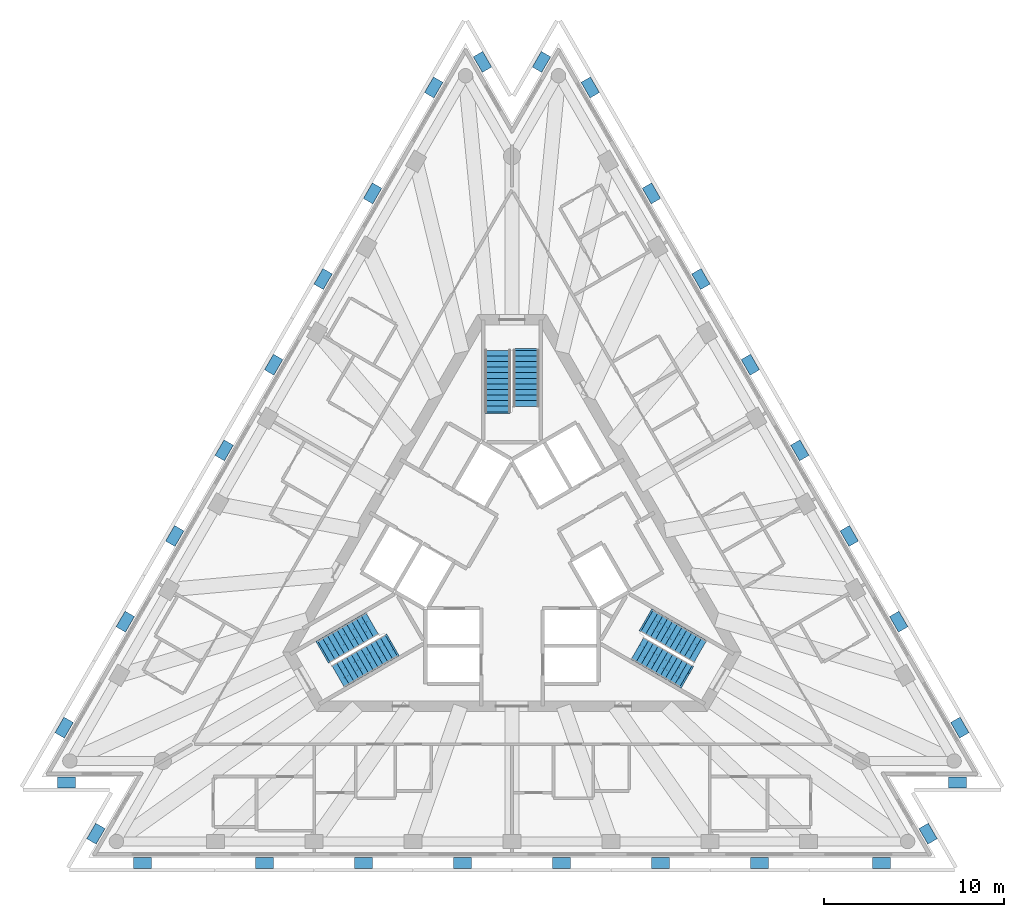
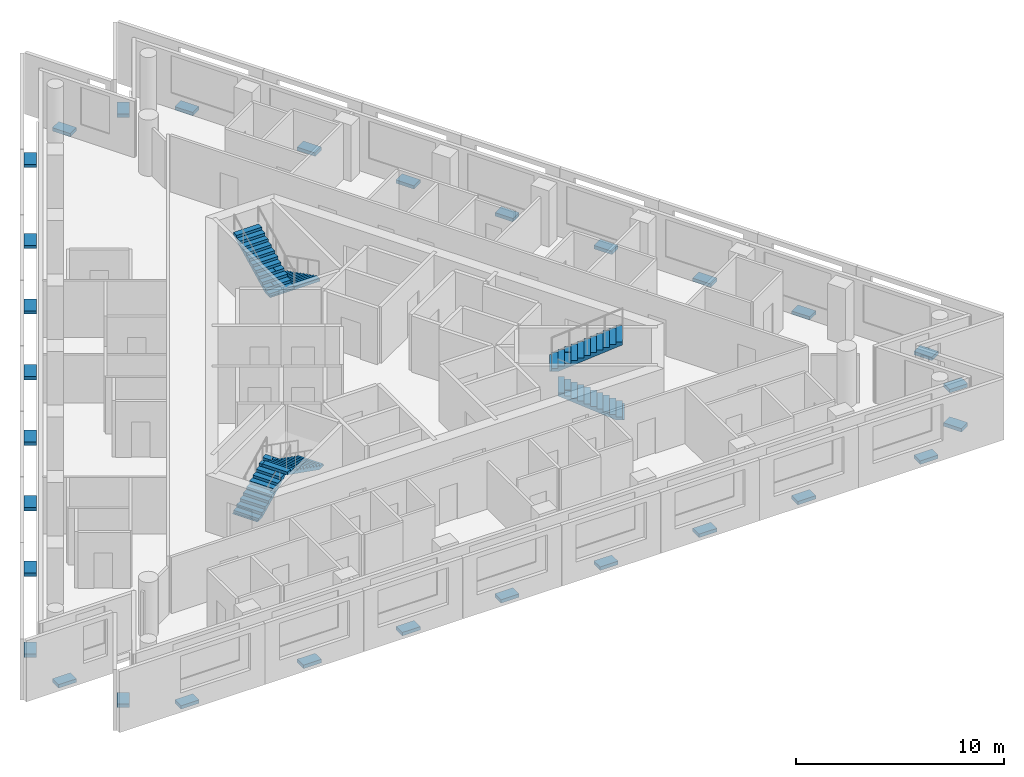
# One storey, part 8 of 9: 30 discrete accessories, 6 stair flights, 3 elements without a shape of their own.
"""IFC4 building model written with IfcOpenShell, lengths in metres."""

import ifcopenshell
import ifcopenshell.guid

model = None  # the IFC model being written
_history = None  # IfcOwnerHistory: only IFC2X3 demands one
_inside = {}  # id of a spatial element -> (the spatial element, [elements in it])
_under = {}  # id of a project, library or spatial element -> (it, [spatial elements below it])
_declared = {}  # id of a project -> (the project, [libraries it declares])
_typed = {}  # id of a type object -> (the type object, [elements of that type])
_made_of = {}  # id of a material, layer set ... -> (it, [elements and type objects made of it])


def new_model(schema):
    """Start an empty IFC model of exactly this schema.

    Asked for "IFC4X3", IfcOpenShell would pick the latest addendum, in which some entities
    have other attributes; the version numbers below select the first issue.
    IFC2X3 requires an IfcOwnerHistory on every rooted entity: one is made here for all.
    """
    global model, _history
    if schema == "IFC4X3":
        model = ifcopenshell.file(schema_version=(4, 3, 0, 0))
    else:
        model = ifcopenshell.file(schema=schema)
    _inside.clear()
    _under.clear()
    _declared.clear()
    _typed.clear()
    _made_of.clear()
    _history = None
    if model.schema == "IFC2X3":
        org = make("IfcOrganization", Name="unknown")
        user = make(
            "IfcPersonAndOrganization",
            ThePerson=make("IfcPerson", FamilyName="unknown"),
            TheOrganization=org,
        )
        app = make(
            "IfcApplication",
            ApplicationDeveloper=org,
            Version="unknown",
            ApplicationFullName="unknown",
            ApplicationIdentifier="unknown",
        )
        _history = make(
            "IfcOwnerHistory",
            OwningUser=user,
            OwningApplication=app,
            ChangeAction="ADDED",
            CreationDate=0,
        )
    return model


def make(cls, **values):
    """One entity of the class cls with the attributes given. An attribute that is None is left unset."""
    return model.create_entity(
        cls, **{name: value for name, value in values.items() if value is not None}
    )


def rooted(cls, **values):
    """An entity with a GlobalId (a new one), such as an element, a storey or a relation."""
    return make(cls, GlobalId=ifcopenshell.guid.new(), OwnerHistory=_history, **values)


def si_unit(unit_type, name, prefix=None):
    """IfcSIUnit, for example si_unit("LENGTHUNIT", "METRE", prefix="MILLI")."""
    return make("IfcSIUnit", UnitType=unit_type, Prefix=prefix, Name=name)


def assignment(units):
    """IfcUnitAssignment: the units of a project."""
    return None if units is None else make("IfcUnitAssignment", Units=units)


def point(xyz):
    """IfcCartesianPoint."""
    return None if xyz is None else make("IfcCartesianPoint", Coordinates=xyz)


def direction(xyz):
    """IfcDirection."""
    return None if xyz is None else make("IfcDirection", DirectionRatios=xyz)


def frame(location, z_axis=None, x_axis=None):
    """IfcAxis2Placement3D, a coordinate frame: its origin and axes. An axis left out is left unset."""
    return make(
        "IfcAxis2Placement3D",
        Location=point(location),
        Axis=direction(z_axis),
        RefDirection=direction(x_axis),
    )


def frame_2d(location, x_axis=None):
    """IfcAxis2Placement2D, a coordinate frame in the plane: its origin and x axis."""
    return make(
        "IfcAxis2Placement2D", Location=point(location), RefDirection=direction(x_axis)
    )


def origin():
    """The frame at (0, 0, 0) with its axes left unset."""
    return frame((0.0, 0.0, 0.0))


def origin_2d():
    """The frame at (0, 0) in the plane with its x axis left unset."""
    return frame_2d((0.0, 0.0))


def place(relative_to, where):
    """IfcLocalPlacement: puts the frame where relative to a parent placement (None: the world)."""
    return make(
        "IfcLocalPlacement", PlacementRelTo=relative_to, RelativePlacement=where
    )


def context(
    kind, dimensions, precision=None, world=None, true_north=None, identifier=None
):
    """IfcGeometricRepresentationContext, for example the 3D "Model" context."""
    return make(
        "IfcGeometricRepresentationContext",
        ContextIdentifier=identifier,
        ContextType=kind,
        CoordinateSpaceDimension=dimensions,
        Precision=precision,
        WorldCoordinateSystem=world,
        TrueNorth=true_north,
    )


def subcontext(parent, identifier, kind, view, scale=None):
    """IfcGeometricRepresentationSubContext, for example "Body" below "Model"."""
    return make(
        "IfcGeometricRepresentationSubContext",
        ContextIdentifier=identifier,
        ContextType=kind,
        ParentContext=parent,
        TargetScale=scale,
        TargetView=view,
    )


def project(units=None, contexts=None):
    """IfcProject with its units and contexts."""
    return rooted(
        "IfcProject",
        Name="project",
        RepresentationContexts=contexts,
        UnitsInContext=assignment(units),
    )


def spatial(cls, under=None, at=None, **own):
    """A site, building, storey or space (cls), placed at a placement, below another one or the project."""
    s = rooted(cls, ObjectPlacement=at, **own)
    if under is not None:
        _under.setdefault(under.id(), (under, []))[1].append(s)
    return s


def polyline(points):
    """IfcPolyline through the points."""
    return make("IfcPolyline", Points=[point(p) for p in points])


def profile(cls, at=None, kind="AREA", **sizes):
    """A parametric profile (cls). Its sizes go by their IFC names, for example OverallWidth=200.0."""
    return make(cls, ProfileType=kind, Position=at, **sizes)


def rectangle(**sizes):
    """IfcRectangleProfileDef."""
    return profile("IfcRectangleProfileDef", **sizes)


def outline(outer, holes=None, kind="AREA"):
    """IfcArbitraryClosedProfileDef: a profile drawn as a closed curve; with holes, ...WithVoids."""
    if holes is None:
        return make("IfcArbitraryClosedProfileDef", ProfileType=kind, OuterCurve=outer)
    return make(
        "IfcArbitraryProfileDefWithVoids",
        ProfileType=kind,
        OuterCurve=outer,
        InnerCurves=holes,
    )


def extrude(swept, where, along, depth):
    """IfcExtrudedAreaSolid: the profile swept, set in the frame where, extruded along a direction by depth."""
    return make(
        "IfcExtrudedAreaSolid",
        SweptArea=swept,
        Position=where,
        ExtrudedDirection=direction(along),
        Depth=depth,
    )


def shape(context_of_items, identifier, shape_type, items):
    """IfcShapeRepresentation: the items that make up one representation, for example the "Body"."""
    return make(
        "IfcShapeRepresentation",
        ContextOfItems=context_of_items,
        RepresentationIdentifier=identifier,
        RepresentationType=shape_type,
        Items=items,
    )


def material(Name=None, Category=None):
    """IfcMaterial."""
    return make("IfcMaterial", Name=Name, Category=Category)


def made_of(thing, what):
    """Note that an element or type object is made of a material, layer set ...; save() writes the relation."""
    if what is not None:
        _made_of.setdefault(what.id(), (what, []))[1].append(thing)
    return thing


def type_object(cls, material=None, **own):
    """A type object (cls), such as IfcWallType, which elements share."""
    return made_of(rooted(cls, **own), material)


def element(
    cls,
    number,
    at=None,
    inside=None,
    cuts=None,
    type_object=None,
    material=None,
    context=None,
    identifier="Body",
    shape_type=None,
    held_by="IfcProductDefinitionShape",
    body=None,
    shapes=None,
    **own,
):
    """One element of the class cls, such as IfcWall. Its Tag is "e" and its number.

    at: its placement. inside: the storey or other place that contains it. cuts: it is an
    opening in that element (IfcRelVoidsElement). A single representation is given by context,
    identifier, shape_type and body (its items); several are given by shapes. held_by: the class
    of the entity that holds the representations. save() writes the other relations.
    """
    e = rooted(cls, Tag="e%d" % number, ObjectPlacement=at, **own)
    if body is not None:
        shapes = [shape(context, identifier, shape_type, body)]
    if shapes is not None:
        e.Representation = make(held_by, Representations=shapes)
    if inside is not None:
        _inside.setdefault(inside.id(), (inside, []))[1].append(e)
    if cuts is not None:
        rooted(
            "IfcRelVoidsElement", RelatingBuildingElement=cuts, RelatedOpeningElement=e
        )
    if type_object is not None:
        _typed.setdefault(type_object.id(), (type_object, []))[1].append(e)
    return made_of(e, material)


def aggregate(whole, parts):
    """IfcRelAggregates: a whole, such as a stair, and the parts it consists of."""
    return rooted("IfcRelAggregates", RelatingObject=whole, RelatedObjects=parts)


def save(model, path):
    """Write the relations noted so far, then the file.

    IfcRelAggregates (storeys below a building ...), IfcRelContainedInSpatialStructure (elements
    in a storey), IfcRelDefinesByType, IfcRelAssociatesMaterial and IfcRelDeclares: one each for
    every whole, place, type object, material and project.
    """
    for whole, parts in _under.values():
        aggregate(whole, parts)
    for where, things in _inside.values():
        rooted(
            "IfcRelContainedInSpatialStructure",
            RelatedElements=things,
            RelatingStructure=where,
        )
    for kind, things in _typed.values():
        rooted("IfcRelDefinesByType", RelatedObjects=things, RelatingType=kind)
    for what, things in _made_of.values():
        rooted("IfcRelAssociatesMaterial", RelatedObjects=things, RelatingMaterial=what)
    for by, libraries in _declared.values():
        rooted("IfcRelDeclares", RelatingContext=by, RelatedDefinitions=libraries)
    model.write(path)


model = new_model("IFC4")

# Units and contexts
model_context = context("Model", 3, precision=1e-05, world=origin(), true_north=direction((0.0, 1.0)))
body_context = subcontext(model_context, "Body", "Model", "MODEL_VIEW")
ifc_project = project(units=[si_unit("LENGTHUNIT", "METRE"), si_unit("AREAUNIT", "SQUARE_METRE"), si_unit("VOLUMEUNIT", "CUBIC_METRE"), si_unit("PLANEANGLEUNIT", "RADIAN"), si_unit("MASSUNIT", "GRAM", prefix="KILO")], contexts=[model_context])

# Site, building, storey
site_placement = place(None, origin())
site = spatial("IfcSite", under=ifc_project, at=site_placement, CompositionType="ELEMENT")
building_placement = place(site_placement, origin())
building = spatial("IfcBuilding", under=site, at=building_placement, Name="Triada Interchange Tower", CompositionType="ELEMENT")
storey_placement = place(building_placement, frame((0.0, 0.0, 282.699951171875)))
storey = spatial("IfcBuildingStorey", under=building, at=storey_placement, Name="L66", CompositionType="ELEMENT", Elevation=282.699951171875)

# Stair, stair flights
ifc_material_1 = material(Name="Concrete C35/45", Category="concrete")
stair_type = type_object("IfcStairType", Name="HALF TURN STAIR 1400", PredefinedType="HALF_TURN_STAIR", material=ifc_material_1)
stair_1_placement = place(storey_placement, origin())
stair_1 = element("IfcStair", 1, at=stair_1_placement, inside=storey, type_object=stair_type, Name="Exit stair S65-1", PredefinedType="HALF_TURN_STAIR")
stair_flight_type = type_object("IfcStairFlightType", Name="STRAIGHT STAIR FLIGHT 1400", PredefinedType="STRAIGHT", material=ifc_material_1)
stair_flight_1_placement = place(storey_placement, frame((0.800048828125, 11.60009765625, 0.0), z_axis=(0.0, 0.0, 1.0), x_axis=(0.0, -1.0, 0.0)))
stair_flight_1 = element("IfcStairFlight", 2, at=stair_flight_1_placement, type_object=stair_flight_type, Name="S65-1 flight 1", NumberOfRisers=11, NumberOfTreads=10, PredefinedType="STRAIGHT", RiserHeight=0.15652, TreadLength=0.31, context=body_context, shape_type="SweptSolid", body=[
    extrude(outline(polyline([(-0.10009765625, 0.0), (-0.10009765625, 0.02001953125), (0.0, 0.02001953125), (0.0, 0.156494140625), (0.31005859375, 0.156494140625), (0.31005859375, 0.31298828125), (0.6201171875, 0.31298828125), (0.6201171875, 0.469482421875), (0.929931640625, 0.469482421875), (0.929931640625, 0.6259765625), (1.239990234375, 0.6259765625), (1.239990234375, 0.78271484375), (1.550048828125, 0.78271484375), (1.550048828125, 0.939208984375), (1.860107421875, 0.939208984375), (1.860107421875, 1.095703125), (2.169921875, 1.095703125), (2.169921875, 1.252197265625), (2.47998046875, 1.252197265625), (2.47998046875, 1.40869140625), (2.7900390625, 1.40869140625), (2.7900390625, 1.565185546875), (3.10009765625, 1.565185546875), (3.10400390625, 1.565185546875), (3.10400390625, 1.7216796875), (3.10400390625, 1.397216796875), (0.33251953125, 0.0), (-0.10009765625, 0.0)])), frame((0.0, 0.699951171875, 0.0), z_axis=(0.0, -1.0, 0.0), x_axis=(1.0, 0.0, 0.0)), (0.0, 0.0, 1.0), 0.46533203125),
    extrude(outline(polyline([(-0.10009765625, 0.0), (-0.10009765625, 0.02001953125), (0.0, 0.02001953125), (0.0, 0.156494140625), (0.31005859375, 0.156494140625), (0.31005859375, 0.31298828125), (0.6201171875, 0.31298828125), (0.6201171875, 0.469482421875), (0.929931640625, 0.469482421875), (0.929931640625, 0.6259765625), (1.239990234375, 0.6259765625), (1.239990234375, 0.78271484375), (1.550048828125, 0.78271484375), (1.550048828125, 0.939208984375), (1.860107421875, 0.939208984375), (1.860107421875, 1.095703125), (2.169921875, 1.095703125), (2.169921875, 1.252197265625), (2.47998046875, 1.252197265625), (2.47998046875, 1.40869140625), (2.7900390625, 1.40869140625), (2.7900390625, 1.565185546875), (3.10009765625, 1.565185546875), (3.10400390625, 1.565185546875), (3.10400390625, 1.7216796875), (3.10400390625, 1.397216796875), (0.33251953125, 0.0), (-0.10009765625, 0.0)])), frame((0.0, 0.232666015625, 0.0), z_axis=(0.0, -1.0, 0.0), x_axis=(1.0, 0.0, 0.0)), (0.0, 0.0, 1.0), 0.46533203125),
    extrude(outline(polyline([(-0.10009765625, 0.0), (-0.10009765625, 0.02001953125), (0.0, 0.02001953125), (0.0, 0.156494140625), (0.31005859375, 0.156494140625), (0.31005859375, 0.31298828125), (0.6201171875, 0.31298828125), (0.6201171875, 0.469482421875), (0.929931640625, 0.469482421875), (0.929931640625, 0.6259765625), (1.239990234375, 0.6259765625), (1.239990234375, 0.78271484375), (1.550048828125, 0.78271484375), (1.550048828125, 0.939208984375), (1.860107421875, 0.939208984375), (1.860107421875, 1.095703125), (2.169921875, 1.095703125), (2.169921875, 1.252197265625), (2.47998046875, 1.252197265625), (2.47998046875, 1.40869140625), (2.7900390625, 1.40869140625), (2.7900390625, 1.565185546875), (3.10009765625, 1.565185546875), (3.10400390625, 1.565185546875), (3.10400390625, 1.7216796875), (3.10400390625, 1.397216796875), (0.33251953125, 0.0), (-0.10009765625, 0.0)])), frame((0.0, -0.234619140625, 0.0), z_axis=(0.0, -1.0, 0.0), x_axis=(1.0, 0.0, 0.0)), (0.0, 0.0, 1.0), 0.46533203125),
])
stair_flight_2_placement = place(storey_placement, frame((-0.800048828125, 8.18994140625, 1.7216796875), z_axis=(0.0, 0.0, 1.0), x_axis=(0.0, 1.0, 0.0)))
stair_flight_2 = element("IfcStairFlight", 3, at=stair_flight_2_placement, type_object=stair_flight_type, Name="S65-1 flight 2", NumberOfRisers=12, NumberOfTreads=11, PredefinedType="STRAIGHT", RiserHeight=0.15652, TreadLength=0.31, context=body_context, shape_type="SweptSolid", body=[
    extrude(outline(polyline([(-0.10009765625, 0.0), (-0.10009765625, 0.02001953125), (0.0, 0.02001953125), (0.0, 0.156494140625), (0.31005859375, 0.156494140625), (0.31005859375, 0.31298828125), (0.6201171875, 0.31298828125), (0.6201171875, 0.469482421875), (0.929931640625, 0.469482421875), (0.929931640625, 0.6259765625), (1.239990234375, 0.6259765625), (1.239990234375, 0.78271484375), (1.550048828125, 0.78271484375), (1.550048828125, 0.939208984375), (1.860107421875, 0.939208984375), (1.860107421875, 1.095703125), (2.169921875, 1.095703125), (2.169921875, 1.252197265625), (2.47998046875, 1.252197265625), (2.47998046875, 1.40869140625), (2.7900390625, 1.40869140625), (2.7900390625, 1.565185546875), (3.10009765625, 1.565185546875), (3.10009765625, 1.7216796875), (3.409912109375, 1.7216796875), (3.4140625, 1.7216796875), (3.4140625, 1.878173828125), (3.4140625, 1.5537109375), (0.33251953125, 0.0), (-0.10009765625, 0.0)])), frame((0.0, 0.699951171875, 0.0), z_axis=(0.0, -1.0, 0.0), x_axis=(1.0, 0.0, 0.0)), (0.0, 0.0, 1.0), 0.46533203125),
    extrude(outline(polyline([(-0.10009765625, 0.0), (-0.10009765625, 0.02001953125), (0.0, 0.02001953125), (0.0, 0.156494140625), (0.31005859375, 0.156494140625), (0.31005859375, 0.31298828125), (0.6201171875, 0.31298828125), (0.6201171875, 0.469482421875), (0.929931640625, 0.469482421875), (0.929931640625, 0.6259765625), (1.239990234375, 0.6259765625), (1.239990234375, 0.78271484375), (1.550048828125, 0.78271484375), (1.550048828125, 0.939208984375), (1.860107421875, 0.939208984375), (1.860107421875, 1.095703125), (2.169921875, 1.095703125), (2.169921875, 1.252197265625), (2.47998046875, 1.252197265625), (2.47998046875, 1.40869140625), (2.7900390625, 1.40869140625), (2.7900390625, 1.565185546875), (3.10009765625, 1.565185546875), (3.10009765625, 1.7216796875), (3.409912109375, 1.7216796875), (3.4140625, 1.7216796875), (3.4140625, 1.878173828125), (3.4140625, 1.5537109375), (0.33251953125, 0.0), (-0.10009765625, 0.0)])), frame((0.0, 0.232666015625, 0.0), z_axis=(0.0, -1.0, 0.0), x_axis=(1.0, 0.0, 0.0)), (0.0, 0.0, 1.0), 0.46533203125),
    extrude(outline(polyline([(-0.10009765625, 0.0), (-0.10009765625, 0.02001953125), (0.0, 0.02001953125), (0.0, 0.156494140625), (0.31005859375, 0.156494140625), (0.31005859375, 0.31298828125), (0.6201171875, 0.31298828125), (0.6201171875, 0.469482421875), (0.929931640625, 0.469482421875), (0.929931640625, 0.6259765625), (1.239990234375, 0.6259765625), (1.239990234375, 0.78271484375), (1.550048828125, 0.78271484375), (1.550048828125, 0.939208984375), (1.860107421875, 0.939208984375), (1.860107421875, 1.095703125), (2.169921875, 1.095703125), (2.169921875, 1.252197265625), (2.47998046875, 1.252197265625), (2.47998046875, 1.40869140625), (2.7900390625, 1.40869140625), (2.7900390625, 1.565185546875), (3.10009765625, 1.565185546875), (3.10009765625, 1.7216796875), (3.409912109375, 1.7216796875), (3.4140625, 1.7216796875), (3.4140625, 1.878173828125), (3.4140625, 1.5537109375), (0.33251953125, 0.0), (-0.10009765625, 0.0)])), frame((0.0, -0.234619140625, 0.0), z_axis=(0.0, -1.0, 0.0), x_axis=(1.0, 0.0, 0.0)), (0.0, 0.0, 1.0), 0.46533203125),
])
aggregate(stair_1, [stair_flight_1, stair_flight_2])

stair_2_placement = place(storey_placement, origin())
stair_2 = element("IfcStair", 4, at=stair_2_placement, inside=storey, type_object=stair_type, Name="Exit stair S65-2", PredefinedType="HALF_TURN_STAIR")
stair_flight_3_placement = place(storey_placement, frame((-10.446044921875, -5.10693359375, 0.0), z_axis=(0.0, 0.0, 1.0), x_axis=(0.866025403784, 0.5, 0.0)))
stair_flight_3 = element("IfcStairFlight", 5, at=stair_flight_3_placement, type_object=stair_flight_type, Name="S65-2 flight 1", NumberOfRisers=11, NumberOfTreads=10, PredefinedType="STRAIGHT", RiserHeight=0.15652, TreadLength=0.31, context=body_context, shape_type="SweptSolid", body=[
    extrude(outline(polyline([(-0.10009765625, 0.0), (-0.10009765625, 0.02001953125), (0.0, 0.02001953125), (0.0, 0.156494140625), (0.31005859375, 0.156494140625), (0.31005859375, 0.31298828125), (0.6201171875, 0.31298828125), (0.6201171875, 0.469482421875), (0.929931640625, 0.469482421875), (0.929931640625, 0.6259765625), (1.239990234375, 0.6259765625), (1.239990234375, 0.78271484375), (1.550048828125, 0.78271484375), (1.550048828125, 0.939208984375), (1.860107421875, 0.939208984375), (1.860107421875, 1.095703125), (2.169921875, 1.095703125), (2.169921875, 1.252197265625), (2.47998046875, 1.252197265625), (2.47998046875, 1.40869140625), (2.7900390625, 1.40869140625), (2.7900390625, 1.565185546875), (3.10009765625, 1.565185546875), (3.10400390625, 1.565185546875), (3.10400390625, 1.7216796875), (3.10400390625, 1.397216796875), (0.33251953125, 0.0), (-0.10009765625, 0.0)])), frame((0.0, 0.699951171875, 0.0), z_axis=(0.0, -1.0, 0.0), x_axis=(1.0, 0.0, 0.0)), (0.0, 0.0, 1.0), 0.46533203125),
    extrude(outline(polyline([(-0.10009765625, 0.0), (-0.10009765625, 0.02001953125), (0.0, 0.02001953125), (0.0, 0.156494140625), (0.31005859375, 0.156494140625), (0.31005859375, 0.31298828125), (0.6201171875, 0.31298828125), (0.6201171875, 0.469482421875), (0.929931640625, 0.469482421875), (0.929931640625, 0.6259765625), (1.239990234375, 0.6259765625), (1.239990234375, 0.78271484375), (1.550048828125, 0.78271484375), (1.550048828125, 0.939208984375), (1.860107421875, 0.939208984375), (1.860107421875, 1.095703125), (2.169921875, 1.095703125), (2.169921875, 1.252197265625), (2.47998046875, 1.252197265625), (2.47998046875, 1.40869140625), (2.7900390625, 1.40869140625), (2.7900390625, 1.565185546875), (3.10009765625, 1.565185546875), (3.10400390625, 1.565185546875), (3.10400390625, 1.7216796875), (3.10400390625, 1.397216796875), (0.33251953125, 0.0), (-0.10009765625, 0.0)])), frame((0.0, 0.232666015625, 0.0), z_axis=(0.0, -1.0, 0.0), x_axis=(1.0, 0.0, 0.0)), (0.0, 0.0, 1.0), 0.46533203125),
    extrude(outline(polyline([(-0.10009765625, 0.0), (-0.10009765625, 0.02001953125), (0.0, 0.02001953125), (0.0, 0.156494140625), (0.31005859375, 0.156494140625), (0.31005859375, 0.31298828125), (0.6201171875, 0.31298828125), (0.6201171875, 0.469482421875), (0.929931640625, 0.469482421875), (0.929931640625, 0.6259765625), (1.239990234375, 0.6259765625), (1.239990234375, 0.78271484375), (1.550048828125, 0.78271484375), (1.550048828125, 0.939208984375), (1.860107421875, 0.939208984375), (1.860107421875, 1.095703125), (2.169921875, 1.095703125), (2.169921875, 1.252197265625), (2.47998046875, 1.252197265625), (2.47998046875, 1.40869140625), (2.7900390625, 1.40869140625), (2.7900390625, 1.565185546875), (3.10009765625, 1.565185546875), (3.10400390625, 1.565185546875), (3.10400390625, 1.7216796875), (3.10400390625, 1.397216796875), (0.33251953125, 0.0), (-0.10009765625, 0.0)])), frame((0.0, -0.234619140625, 0.0), z_axis=(0.0, -1.0, 0.0), x_axis=(1.0, 0.0, 0.0)), (0.0, 0.0, 1.0), 0.46533203125),
])
stair_flight_4_placement = place(storey_placement, frame((-6.693115234375, -4.7880859375, 1.7216796875), z_axis=(0.0, 0.0, 1.0), x_axis=(-0.866025403784, -0.5, 0.0)))
stair_flight_4 = element("IfcStairFlight", 6, at=stair_flight_4_placement, type_object=stair_flight_type, Name="S65-2 flight 2", NumberOfRisers=12, NumberOfTreads=11, PredefinedType="STRAIGHT", RiserHeight=0.15652, TreadLength=0.31, context=body_context, shape_type="SweptSolid", body=[
    extrude(outline(polyline([(-0.10009765625, 0.0), (-0.10009765625, 0.02001953125), (0.0, 0.02001953125), (0.0, 0.156494140625), (0.31005859375, 0.156494140625), (0.31005859375, 0.31298828125), (0.6201171875, 0.31298828125), (0.6201171875, 0.469482421875), (0.929931640625, 0.469482421875), (0.929931640625, 0.6259765625), (1.239990234375, 0.6259765625), (1.239990234375, 0.78271484375), (1.550048828125, 0.78271484375), (1.550048828125, 0.939208984375), (1.860107421875, 0.939208984375), (1.860107421875, 1.095703125), (2.169921875, 1.095703125), (2.169921875, 1.252197265625), (2.47998046875, 1.252197265625), (2.47998046875, 1.40869140625), (2.7900390625, 1.40869140625), (2.7900390625, 1.565185546875), (3.10009765625, 1.565185546875), (3.10009765625, 1.7216796875), (3.409912109375, 1.7216796875), (3.4140625, 1.7216796875), (3.4140625, 1.878173828125), (3.4140625, 1.5537109375), (0.33251953125, 0.0), (-0.10009765625, 0.0)])), frame((0.0, 0.699951171875, 0.0), z_axis=(0.0, -1.0, 0.0), x_axis=(1.0, 0.0, 0.0)), (0.0, 0.0, 1.0), 0.46533203125),
    extrude(outline(polyline([(-0.10009765625, 0.0), (-0.10009765625, 0.02001953125), (0.0, 0.02001953125), (0.0, 0.156494140625), (0.31005859375, 0.156494140625), (0.31005859375, 0.31298828125), (0.6201171875, 0.31298828125), (0.6201171875, 0.469482421875), (0.929931640625, 0.469482421875), (0.929931640625, 0.6259765625), (1.239990234375, 0.6259765625), (1.239990234375, 0.78271484375), (1.550048828125, 0.78271484375), (1.550048828125, 0.939208984375), (1.860107421875, 0.939208984375), (1.860107421875, 1.095703125), (2.169921875, 1.095703125), (2.169921875, 1.252197265625), (2.47998046875, 1.252197265625), (2.47998046875, 1.40869140625), (2.7900390625, 1.40869140625), (2.7900390625, 1.565185546875), (3.10009765625, 1.565185546875), (3.10009765625, 1.7216796875), (3.409912109375, 1.7216796875), (3.4140625, 1.7216796875), (3.4140625, 1.878173828125), (3.4140625, 1.5537109375), (0.33251953125, 0.0), (-0.10009765625, 0.0)])), frame((0.0, 0.232666015625, 0.0), z_axis=(0.0, -1.0, 0.0), x_axis=(1.0, 0.0, 0.0)), (0.0, 0.0, 1.0), 0.46533203125),
    extrude(outline(polyline([(-0.10009765625, 0.0), (-0.10009765625, 0.02001953125), (0.0, 0.02001953125), (0.0, 0.156494140625), (0.31005859375, 0.156494140625), (0.31005859375, 0.31298828125), (0.6201171875, 0.31298828125), (0.6201171875, 0.469482421875), (0.929931640625, 0.469482421875), (0.929931640625, 0.6259765625), (1.239990234375, 0.6259765625), (1.239990234375, 0.78271484375), (1.550048828125, 0.78271484375), (1.550048828125, 0.939208984375), (1.860107421875, 0.939208984375), (1.860107421875, 1.095703125), (2.169921875, 1.095703125), (2.169921875, 1.252197265625), (2.47998046875, 1.252197265625), (2.47998046875, 1.40869140625), (2.7900390625, 1.40869140625), (2.7900390625, 1.565185546875), (3.10009765625, 1.565185546875), (3.10009765625, 1.7216796875), (3.409912109375, 1.7216796875), (3.4140625, 1.7216796875), (3.4140625, 1.878173828125), (3.4140625, 1.5537109375), (0.33251953125, 0.0), (-0.10009765625, 0.0)])), frame((0.0, -0.234619140625, 0.0), z_axis=(0.0, -1.0, 0.0), x_axis=(1.0, 0.0, 0.0)), (0.0, 0.0, 1.0), 0.46533203125),
])
aggregate(stair_2, [stair_flight_3, stair_flight_4])

stair_3_placement = place(storey_placement, origin())
stair_3 = element("IfcStair", 7, at=stair_3_placement, inside=storey, type_object=stair_type, Name="Exit stair S65-3", PredefinedType="HALF_TURN_STAIR")
stair_flight_5_placement = place(storey_placement, frame((9.64599609375, -6.492919921875, 0.0), z_axis=(0.0, 0.0, 1.0), x_axis=(-0.866025403784, 0.5, 0.0)))
stair_flight_5 = element("IfcStairFlight", 8, at=stair_flight_5_placement, type_object=stair_flight_type, Name="S65-3 flight 1", NumberOfRisers=11, NumberOfTreads=10, PredefinedType="STRAIGHT", RiserHeight=0.15652, TreadLength=0.31, context=body_context, shape_type="SweptSolid", body=[
    extrude(outline(polyline([(-0.10009765625, 0.0), (-0.10009765625, 0.02001953125), (0.0, 0.02001953125), (0.0, 0.156494140625), (0.31005859375, 0.156494140625), (0.31005859375, 0.31298828125), (0.6201171875, 0.31298828125), (0.6201171875, 0.469482421875), (0.929931640625, 0.469482421875), (0.929931640625, 0.6259765625), (1.239990234375, 0.6259765625), (1.239990234375, 0.78271484375), (1.550048828125, 0.78271484375), (1.550048828125, 0.939208984375), (1.860107421875, 0.939208984375), (1.860107421875, 1.095703125), (2.169921875, 1.095703125), (2.169921875, 1.252197265625), (2.47998046875, 1.252197265625), (2.47998046875, 1.40869140625), (2.7900390625, 1.40869140625), (2.7900390625, 1.565185546875), (3.10009765625, 1.565185546875), (3.10400390625, 1.565185546875), (3.10400390625, 1.7216796875), (3.10400390625, 1.397216796875), (0.33251953125, 0.0), (-0.10009765625, 0.0)])), frame((0.0, 0.699951171875, 0.0), z_axis=(0.0, -1.0, 0.0), x_axis=(1.0, 0.0, 0.0)), (0.0, 0.0, 1.0), 0.46533203125),
    extrude(outline(polyline([(-0.10009765625, 0.0), (-0.10009765625, 0.02001953125), (0.0, 0.02001953125), (0.0, 0.156494140625), (0.31005859375, 0.156494140625), (0.31005859375, 0.31298828125), (0.6201171875, 0.31298828125), (0.6201171875, 0.469482421875), (0.929931640625, 0.469482421875), (0.929931640625, 0.6259765625), (1.239990234375, 0.6259765625), (1.239990234375, 0.78271484375), (1.550048828125, 0.78271484375), (1.550048828125, 0.939208984375), (1.860107421875, 0.939208984375), (1.860107421875, 1.095703125), (2.169921875, 1.095703125), (2.169921875, 1.252197265625), (2.47998046875, 1.252197265625), (2.47998046875, 1.40869140625), (2.7900390625, 1.40869140625), (2.7900390625, 1.565185546875), (3.10009765625, 1.565185546875), (3.10400390625, 1.565185546875), (3.10400390625, 1.7216796875), (3.10400390625, 1.397216796875), (0.33251953125, 0.0), (-0.10009765625, 0.0)])), frame((0.0, 0.232666015625, 0.0), z_axis=(0.0, -1.0, 0.0), x_axis=(1.0, 0.0, 0.0)), (0.0, 0.0, 1.0), 0.46533203125),
    extrude(outline(polyline([(-0.10009765625, 0.0), (-0.10009765625, 0.02001953125), (0.0, 0.02001953125), (0.0, 0.156494140625), (0.31005859375, 0.156494140625), (0.31005859375, 0.31298828125), (0.6201171875, 0.31298828125), (0.6201171875, 0.469482421875), (0.929931640625, 0.469482421875), (0.929931640625, 0.6259765625), (1.239990234375, 0.6259765625), (1.239990234375, 0.78271484375), (1.550048828125, 0.78271484375), (1.550048828125, 0.939208984375), (1.860107421875, 0.939208984375), (1.860107421875, 1.095703125), (2.169921875, 1.095703125), (2.169921875, 1.252197265625), (2.47998046875, 1.252197265625), (2.47998046875, 1.40869140625), (2.7900390625, 1.40869140625), (2.7900390625, 1.565185546875), (3.10009765625, 1.565185546875), (3.10400390625, 1.565185546875), (3.10400390625, 1.7216796875), (3.10400390625, 1.397216796875), (0.33251953125, 0.0), (-0.10009765625, 0.0)])), frame((0.0, -0.234619140625, 0.0), z_axis=(0.0, -1.0, 0.0), x_axis=(1.0, 0.0, 0.0)), (0.0, 0.0, 1.0), 0.46533203125),
])
stair_flight_6_placement = place(storey_placement, frame((7.492919921875, -3.402099609375, 1.7216796875), z_axis=(0.0, 0.0, 1.0), x_axis=(0.866025403784, -0.5, 0.0)))
stair_flight_6 = element("IfcStairFlight", 9, at=stair_flight_6_placement, type_object=stair_flight_type, Name="S65-3 flight 2", NumberOfRisers=12, NumberOfTreads=11, PredefinedType="STRAIGHT", RiserHeight=0.15652, TreadLength=0.31, context=body_context, shape_type="SweptSolid", body=[
    extrude(outline(polyline([(-0.10009765625, 0.0), (-0.10009765625, 0.02001953125), (0.0, 0.02001953125), (0.0, 0.156494140625), (0.31005859375, 0.156494140625), (0.31005859375, 0.31298828125), (0.6201171875, 0.31298828125), (0.6201171875, 0.469482421875), (0.929931640625, 0.469482421875), (0.929931640625, 0.6259765625), (1.239990234375, 0.6259765625), (1.239990234375, 0.78271484375), (1.550048828125, 0.78271484375), (1.550048828125, 0.939208984375), (1.860107421875, 0.939208984375), (1.860107421875, 1.095703125), (2.169921875, 1.095703125), (2.169921875, 1.252197265625), (2.47998046875, 1.252197265625), (2.47998046875, 1.40869140625), (2.7900390625, 1.40869140625), (2.7900390625, 1.565185546875), (3.10009765625, 1.565185546875), (3.10009765625, 1.7216796875), (3.409912109375, 1.7216796875), (3.4140625, 1.7216796875), (3.4140625, 1.878173828125), (3.4140625, 1.5537109375), (0.33251953125, 0.0), (-0.10009765625, 0.0)])), frame((0.0, 0.699951171875, 0.0), z_axis=(0.0, -1.0, 0.0), x_axis=(1.0, 0.0, 0.0)), (0.0, 0.0, 1.0), 0.46533203125),
    extrude(outline(polyline([(-0.10009765625, 0.0), (-0.10009765625, 0.02001953125), (0.0, 0.02001953125), (0.0, 0.156494140625), (0.31005859375, 0.156494140625), (0.31005859375, 0.31298828125), (0.6201171875, 0.31298828125), (0.6201171875, 0.469482421875), (0.929931640625, 0.469482421875), (0.929931640625, 0.6259765625), (1.239990234375, 0.6259765625), (1.239990234375, 0.78271484375), (1.550048828125, 0.78271484375), (1.550048828125, 0.939208984375), (1.860107421875, 0.939208984375), (1.860107421875, 1.095703125), (2.169921875, 1.095703125), (2.169921875, 1.252197265625), (2.47998046875, 1.252197265625), (2.47998046875, 1.40869140625), (2.7900390625, 1.40869140625), (2.7900390625, 1.565185546875), (3.10009765625, 1.565185546875), (3.10009765625, 1.7216796875), (3.409912109375, 1.7216796875), (3.4140625, 1.7216796875), (3.4140625, 1.878173828125), (3.4140625, 1.5537109375), (0.33251953125, 0.0), (-0.10009765625, 0.0)])), frame((0.0, 0.232666015625, 0.0), z_axis=(0.0, -1.0, 0.0), x_axis=(1.0, 0.0, 0.0)), (0.0, 0.0, 1.0), 0.46533203125),
    extrude(outline(polyline([(-0.10009765625, 0.0), (-0.10009765625, 0.02001953125), (0.0, 0.02001953125), (0.0, 0.156494140625), (0.31005859375, 0.156494140625), (0.31005859375, 0.31298828125), (0.6201171875, 0.31298828125), (0.6201171875, 0.469482421875), (0.929931640625, 0.469482421875), (0.929931640625, 0.6259765625), (1.239990234375, 0.6259765625), (1.239990234375, 0.78271484375), (1.550048828125, 0.78271484375), (1.550048828125, 0.939208984375), (1.860107421875, 0.939208984375), (1.860107421875, 1.095703125), (2.169921875, 1.095703125), (2.169921875, 1.252197265625), (2.47998046875, 1.252197265625), (2.47998046875, 1.40869140625), (2.7900390625, 1.40869140625), (2.7900390625, 1.565185546875), (3.10009765625, 1.565185546875), (3.10009765625, 1.7216796875), (3.409912109375, 1.7216796875), (3.4140625, 1.7216796875), (3.4140625, 1.878173828125), (3.4140625, 1.5537109375), (0.33251953125, 0.0), (-0.10009765625, 0.0)])), frame((0.0, -0.234619140625, 0.0), z_axis=(0.0, -1.0, 0.0), x_axis=(1.0, 0.0, 0.0)), (0.0, 0.0, 1.0), 0.46533203125),
])
aggregate(stair_3, [stair_flight_5, stair_flight_6])

# Discrete accessories
ifc_material_2 = material(Name="Steel S355", Category="steel")
discrete_accessory_type = type_object("IfcDiscreteAccessoryType", Name="Steel bracket outer skin", PredefinedType="BRACKET", material=ifc_material_2)
for number, where, z_axis, x_axis, name in (
    (10, (-4.343017578125, 26.18701171875, -0.27001953125), (0.0, 0.0, 1.0), (-0.866024094785, 0.500002267247, 0.0), "Bracket L66 01"),
    (11, (-7.736083984375, 20.30908203125, -0.27001953125), (0.0, 0.0, 1.0), (-0.866024094785, 0.500002267247, 0.0), "Bracket L66 02"),
    (12, (-10.47998046875, 15.555908203125, -0.27001953125), (0.0, 0.0, 1.0), (-0.866024094785, 0.500002267247, 0.0), "Bracket L66 03"),
    (13, (-13.22412109375, 10.802978515625, -0.27001953125), (0.0, 0.0, 1.0), (-0.866024094785, 0.500002267247, 0.0), "Bracket L66 04"),
    (14, (-15.968017578125, 6.051025390625, -0.27001953125), (0.0, 0.0, 1.0), (-0.866024094785, 0.500002267247, 0.0), "Bracket L66 05"),
    (15, (-18.7119140625, 1.298095703125, -0.27001953125), (0.0, 0.0, 1.0), (-0.866024094785, 0.500002267247, 0.0), "Bracket L66 06"),
    (16, (-21.4560546875, -3.455078125, -0.27001953125), (0.0, 0.0, 1.0), (-0.866024094785, 0.500002267247, 0.0), "Bracket L66 07"),
    (17, (-24.85009765625, -9.3330078125, -0.27001953125), (0.0, 0.0, 1.0), (-0.866024094785, 0.500002267247, 0.0), "Bracket L66 08"),
    (18, (-24.72412109375, -12.384033203125, -0.27001953125), (0.0, 0.0, 1.0), (0.0, -1.0, 0.0), "Bracket L66 09"),
    (19, (-23.0869140625, -15.218994140625, -0.27001953125), (0.0, 0.0, 1.0), (-0.866088795907, 0.499890185544, 0.0), "Bracket L66 10"),
    (20, (-20.507080078125, -16.85400390625, -0.27001953125), (0.0, 0.0, 1.0), (0.0, -1.0, 0.0), "Bracket L66 11"),
    (21, (-13.719970703125, -16.85400390625, -0.27001953125), (0.0, 0.0, 1.0), (0.0, -1.0, 0.0), "Bracket L66 12"),
    (22, (-8.23193359375, -16.85400390625, -0.27001953125), (0.0, 0.0, 1.0), (0.0, -1.0, 0.0), "Bracket L66 13"),
    (23, (-2.743896484375, -16.85400390625, -0.27001953125), (0.0, 0.0, 1.0), (0.0, -1.0, 0.0), "Bracket L66 14"),
    (24, (2.743896484375, -16.85400390625, -0.27001953125), (0.0, 0.0, 1.0), (0.0, -1.0, 0.0), "Bracket L66 15"),
    (25, (8.23193359375, -16.85400390625, -0.27001953125), (0.0, 0.0, 1.0), (0.0, -1.0, 0.0), "Bracket L66 16"),
    (26, (13.719970703125, -16.85400390625, -0.27001953125), (0.0, 0.0, 1.0), (0.0, -1.0, 0.0), "Bracket L66 17"),
    (27, (20.507080078125, -16.85400390625, -0.27001953125), (0.0, 0.0, 1.0), (0.0, -1.0, 0.0), "Bracket L66 18"),
    (28, (23.0869140625, -15.218994140625, -0.27001953125), (0.0, 0.0, 1.0), (0.866088795907, 0.499890185544, 0.0), "Bracket L66 19"),
    (29, (24.72412109375, -12.384033203125, -0.27001953125), (0.0, 0.0, 1.0), (0.0, -1.0, 0.0), "Bracket L66 20"),
    (30, (24.85009765625, -9.3330078125, -0.27001953125), (0.0, 0.0, 1.0), (0.866024094785, 0.500002267247, 0.0), "Bracket L66 21"),
    (31, (21.4560546875, -3.455078125, -0.27001953125), (0.0, 0.0, 1.0), (0.866024094785, 0.500002267247, 0.0), "Bracket L66 22"),
    (32, (18.7119140625, 1.298095703125, -0.27001953125), (0.0, 0.0, 1.0), (0.866024094785, 0.500002267247, 0.0), "Bracket L66 23"),
    (33, (15.968017578125, 6.051025390625, -0.27001953125), (0.0, 0.0, 1.0), (0.866024094785, 0.500002267247, 0.0), "Bracket L66 24"),
    (34, (13.22412109375, 10.802978515625, -0.27001953125), (0.0, 0.0, 1.0), (0.866024094785, 0.500002267247, 0.0), "Bracket L66 25"),
    (35, (10.47998046875, 15.555908203125, -0.27001953125), (0.0, 0.0, 1.0), (0.866024094785, 0.500002267247, 0.0), "Bracket L66 26"),
    (36, (7.736083984375, 20.30908203125, -0.27001953125), (0.0, 0.0, 1.0), (0.866024094785, 0.500002267247, 0.0), "Bracket L66 27"),
    (37, (4.343017578125, 26.18701171875, -0.27001953125), (0.0, 0.0, 1.0), (0.866024094785, 0.500002267247, 0.0), "Bracket L66 28"),
    (38, (1.636962890625, 27.60302734375, -0.27001953125), (0.0, 0.0, 1.0), (-0.865956455047, 0.500119403705, 0.0), "Bracket L66 29"),
    (39, (-1.636962890625, 27.60302734375, -0.27001953125), (0.0, 0.0, 1.0), (0.865956455047, 0.500119403705, 0.0), "Bracket L66 30"),
):
    element("IfcDiscreteAccessory", number, at=place(storey_placement, frame(where, z_axis=z_axis, x_axis=x_axis)), inside=storey, type_object=discrete_accessory_type, Name=name, PredefinedType="BRACKET", context=body_context, shape_type="SweptSolid", body=[
        extrude(rectangle(XDim=0.60009765625, YDim=1.0, at=origin_2d()), origin(), (0.0, 0.0, 1.0), 0.199951171875),
    ])

save(model, "model.ifc")
